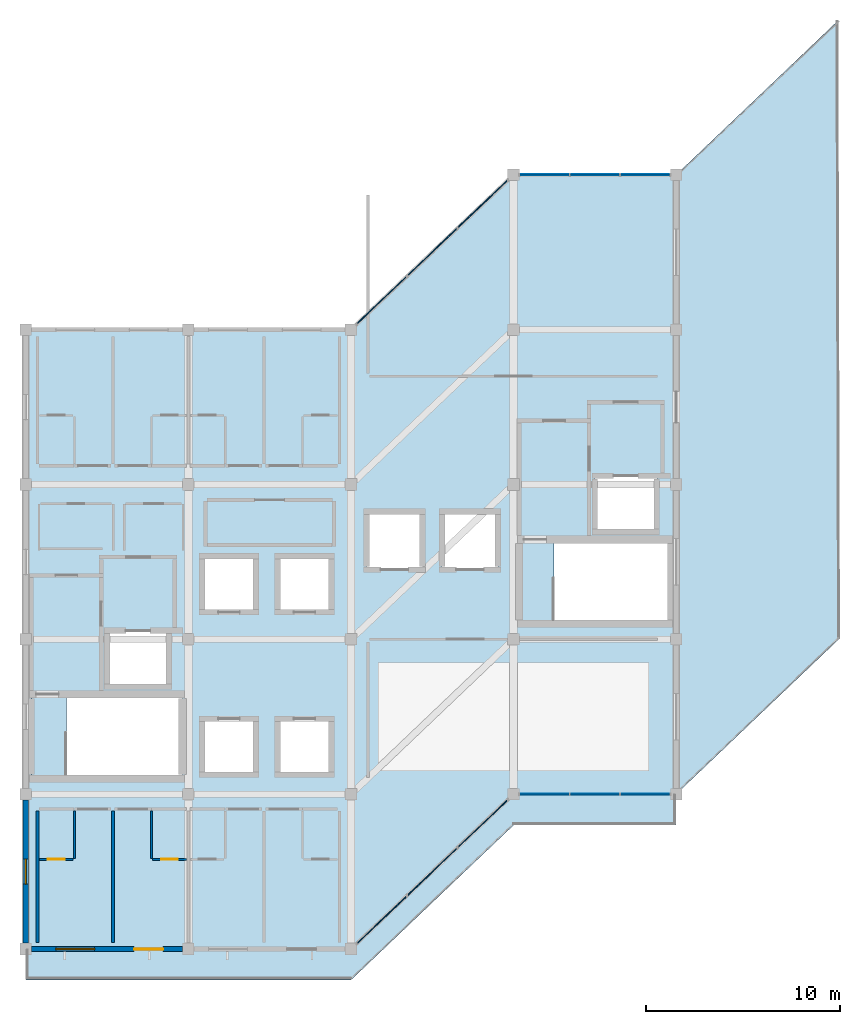
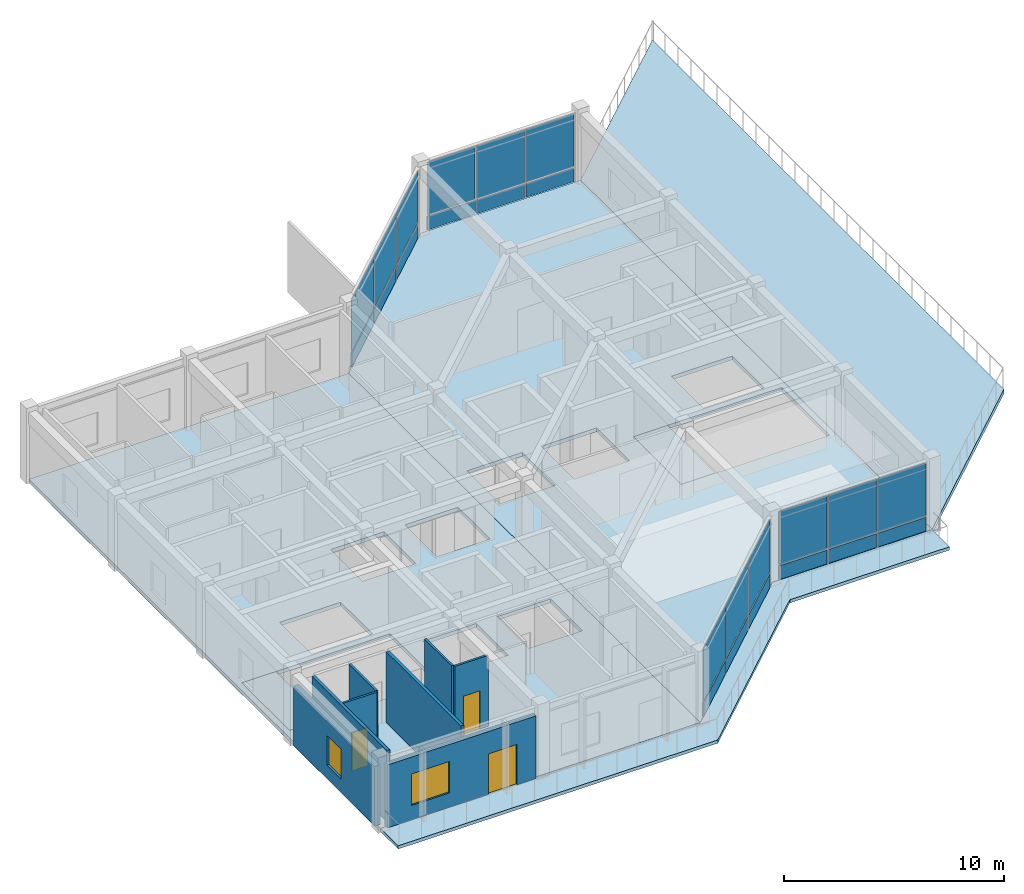
# One storey, part 6 of 11: 24 plates, 8 walls, 6 slabs, 3 doors, 2 windows, 5 openings, 4 elements without a shape of their own.
"""IFC4 building model written with IfcOpenShell, lengths in metres."""

from ifc_helpers import new_model, si_unit, direction, frame, frame_2d, origin, origin_2d, place, context, subcontext, project, spatial, polyline, rectangle, outline, extrude, material, layer, layer_set, type_object, element, fill, aggregate, save


model = new_model("IFC4")

# Units and contexts
model_context = context("Model", 3, precision=1e-05, world=origin(), true_north=direction((0.0, 1.0)))
body_context = subcontext(model_context, "Body", "Model", "MODEL_VIEW")
ifc_project = project(units=[si_unit("LENGTHUNIT", "METRE"), si_unit("AREAUNIT", "SQUARE_METRE"), si_unit("VOLUMEUNIT", "CUBIC_METRE"), si_unit("PLANEANGLEUNIT", "RADIAN"), si_unit("MASSUNIT", "GRAM", prefix="KILO")], contexts=[model_context])

# Site, building, storey
site_placement = place(None, origin())
site = spatial("IfcSite", under=ifc_project, at=site_placement, CompositionType="ELEMENT")
building_placement = place(site_placement, origin())
building = spatial("IfcBuilding", under=site, at=building_placement, Name="Naruveol Harbour Congress Hotel", CompositionType="ELEMENT")
storey_placement = place(building_placement, frame((0.0, 0.0, 47.39990234375)))
storey = spatial("IfcBuildingStorey", under=building, at=storey_placement, Name="L11", CompositionType="ELEMENT", Elevation=47.39990234375)

# Curtain wall, plates
ifc_material_1 = material(Name="Low-E Curtain Wall System", Category="glass")
ifc_layer_1 = layer(ifc_material_1, 0.179931640625)
ifc_layer_set_1 = layer_set([ifc_layer_1], Name="Low-E Curtain Wall System")
curtain_wall_type_1 = type_object("IfcCurtainWallType", Name="UNITISED CURTAIN WALL CW-V5CR-54 10771X3920", PredefinedType="USERDEFINED", material=ifc_layer_set_1)
curtain_wall_1_placement = place(storey_placement, origin())
curtain_wall_1 = element("IfcCurtainWall", 1, at=curtain_wall_1_placement, inside=storey, type_object=curtain_wall_type_1, Name="Unitised curtain wall CW-V5CR-54 L11", ObjectType="UNITISED GLAZING", PredefinedType="USERDEFINED")
ifc_material_2 = material(Name="Anodised Aluminium Spandrel", Category="aluminium")
ifc_layer_2 = layer(ifc_material_2, 0.054931640625)
ifc_layer_set_2 = layer_set([ifc_layer_2], Name="Anodised Aluminium Spandrel")
plate_type_1 = type_object("IfcPlateType", Name="INSULATED CERAMIC SPANDREL PANEL 55", PredefinedType="CURTAIN_PANEL", material=ifc_layer_set_2)
plate_1_placement = place(storey_placement, frame((149.60693359375, 6.46875, 0.0400390625), z_axis=(0.0, 0.0, 1.0), x_axis=(-0.724159825196, -0.689632182814, 0.0)))
plate_1 = element("IfcPlate", 2, at=plate_1_placement, type_object=plate_type_1, Name="Curtain wall spandrel panel CW-L11-0151-PS0", PredefinedType="CURTAIN_PANEL", context=body_context, shape_type="SweptSolid", body=[
    extrude(rectangle(XDim=3.510009765625, YDim=0.054931640625, at=origin_2d()), origin(), (0.0, 0.0, 1.0), 0.77001953125),
])
plate_2_placement = place(storey_placement, frame((147.0068359375, 3.992919921875, 0.0400390625), z_axis=(0.0, 0.0, 1.0), x_axis=(-0.724159825196, -0.689632182814, 0.0)))
plate_2 = element("IfcPlate", 3, at=plate_2_placement, type_object=plate_type_1, Name="Curtain wall spandrel panel CW-L11-0151-PS1", PredefinedType="CURTAIN_PANEL", context=body_context, shape_type="SweptSolid", body=[
    extrude(rectangle(XDim=3.510009765625, YDim=0.054931640625, at=origin_2d()), origin(), (0.0, 0.0, 1.0), 0.77001953125),
])
plate_3_placement = place(storey_placement, frame((144.406982421875, 1.516845703125, 0.0400390625), z_axis=(0.0, 0.0, 1.0), x_axis=(-0.724159825196, -0.689632182814, 0.0)))
plate_3 = element("IfcPlate", 4, at=plate_3_placement, type_object=plate_type_1, Name="Curtain wall spandrel panel CW-L11-0151-PS2", PredefinedType="CURTAIN_PANEL", context=body_context, shape_type="SweptSolid", body=[
    extrude(rectangle(XDim=3.510009765625, YDim=0.054931640625, at=origin_2d()), origin(), (0.0, 0.0, 1.0), 0.77001953125),
])

ifc_material_3 = material(Name="Low-E Curtain Wall System", Category="glass")
ifc_layer_3 = layer(ifc_material_3, 0.179931640625)
ifc_layer_set_3 = layer_set([ifc_layer_3], Name="Low-E Curtain Wall System")
curtain_wall_type_2 = type_object("IfcCurtainWallType", Name="UNITISED CURTAIN WALL CW-V5CN-55 10771X3920", PredefinedType="USERDEFINED", material=ifc_layer_set_3)
curtain_wall_2_placement = place(storey_placement, origin())
curtain_wall_2 = element("IfcCurtainWall", 5, at=curtain_wall_2_placement, inside=storey, type_object=curtain_wall_type_2, Name="Unitised curtain wall CW-V5CN-55 L11", ObjectType="UNITISED GLAZING", PredefinedType="USERDEFINED")
plate_4_placement = place(storey_placement, frame((144.39306640625, 33.53125, 0.0400390625), z_axis=(0.0, 0.0, 1.0), x_axis=(0.724159825196, 0.689632182814, 0.0)))
plate_4 = element("IfcPlate", 6, at=plate_4_placement, type_object=plate_type_1, Name="Curtain wall spandrel panel CW-L11-0152-PS0", PredefinedType="CURTAIN_PANEL", context=body_context, shape_type="SweptSolid", body=[
    extrude(rectangle(XDim=3.510009765625, YDim=0.054931640625, at=origin_2d()), origin(), (0.0, 0.0, 1.0), 0.77001953125),
])
plate_5_placement = place(storey_placement, frame((146.9931640625, 36.007080078125, 0.0400390625), z_axis=(0.0, 0.0, 1.0), x_axis=(0.724159825196, 0.689632182814, 0.0)))
plate_5 = element("IfcPlate", 7, at=plate_5_placement, type_object=plate_type_1, Name="Curtain wall spandrel panel CW-L11-0152-PS1", PredefinedType="CURTAIN_PANEL", context=body_context, shape_type="SweptSolid", body=[
    extrude(rectangle(XDim=3.510009765625, YDim=0.054931640625, at=origin_2d()), origin(), (0.0, 0.0, 1.0), 0.77001953125),
])
plate_6_placement = place(storey_placement, frame((149.593017578125, 38.483154296875, 0.0400390625), z_axis=(0.0, 0.0, 1.0), x_axis=(0.724159825196, 0.689632182814, 0.0)))
plate_6 = element("IfcPlate", 8, at=plate_6_placement, type_object=plate_type_1, Name="Curtain wall spandrel panel CW-L11-0152-PS2", PredefinedType="CURTAIN_PANEL", context=body_context, shape_type="SweptSolid", body=[
    extrude(rectangle(XDim=3.510009765625, YDim=0.054931640625, at=origin_2d()), origin(), (0.0, 0.0, 1.0), 0.77001953125),
])

ifc_material_4 = material(Name="Low-E Curtain Wall System", Category="glass")
ifc_layer_4 = layer(ifc_material_4, 0.179931640625)
ifc_layer_set_4 = layer_set([ifc_layer_4], Name="Low-E Curtain Wall System")
curtain_wall_type_3 = type_object("IfcCurtainWallType", Name="UNITISED CURTAIN WALL CW-V5CR-56 7800X3920", PredefinedType="USERDEFINED", material=ifc_layer_set_4)
curtain_wall_3_placement = place(storey_placement, origin())
curtain_wall_3 = element("IfcCurtainWall", 9, at=curtain_wall_3_placement, inside=storey, type_object=curtain_wall_type_3, Name="Unitised curtain wall CW-V5CR-56 L11", ObjectType="UNITISED GLAZING", PredefinedType="USERDEFINED")
plate_7_placement = place(storey_placement, frame((158.0, 7.989990234375, 0.0400390625), z_axis=(0.0, 0.0, 1.0), x_axis=(-1.0, 0.0, 0.0)))
plate_7 = element("IfcPlate", 10, at=plate_7_placement, type_object=plate_type_1, Name="Curtain wall spandrel panel CW-L11-0153-PS0", PredefinedType="CURTAIN_PANEL", context=body_context, shape_type="SweptSolid", body=[
    extrude(rectangle(XDim=2.52001953125, YDim=0.054931640625, at=origin_2d()), origin(), (0.0, 0.0, 1.0), 0.77001953125),
])
plate_8_placement = place(storey_placement, frame((155.39990234375, 7.989990234375, 0.0400390625), z_axis=(0.0, 0.0, 1.0), x_axis=(-1.0, 0.0, 0.0)))
plate_8 = element("IfcPlate", 11, at=plate_8_placement, type_object=plate_type_1, Name="Curtain wall spandrel panel CW-L11-0153-PS1", PredefinedType="CURTAIN_PANEL", context=body_context, shape_type="SweptSolid", body=[
    extrude(rectangle(XDim=2.52001953125, YDim=0.054931640625, at=origin_2d()), origin(), (0.0, 0.0, 1.0), 0.77001953125),
])
plate_9_placement = place(storey_placement, frame((152.800048828125, 7.989990234375, 0.0400390625), z_axis=(0.0, 0.0, 1.0), x_axis=(-1.0, 0.0, 0.0)))
plate_9 = element("IfcPlate", 12, at=plate_9_placement, type_object=plate_type_1, Name="Curtain wall spandrel panel CW-L11-0153-PS2", PredefinedType="CURTAIN_PANEL", context=body_context, shape_type="SweptSolid", body=[
    extrude(rectangle(XDim=2.52001953125, YDim=0.054931640625, at=origin_2d()), origin(), (0.0, 0.0, 1.0), 0.77001953125),
])

ifc_material_5 = material(Name="Low-E Curtain Wall System", Category="glass")
ifc_layer_5 = layer(ifc_material_5, 0.179931640625)
ifc_layer_set_5 = layer_set([ifc_layer_5], Name="Low-E Curtain Wall System")
curtain_wall_type_4 = type_object("IfcCurtainWallType", Name="UNITISED CURTAIN WALL CW-V5CN-57 7800X3920", PredefinedType="USERDEFINED", material=ifc_layer_set_5)
curtain_wall_4_placement = place(storey_placement, origin())
curtain_wall_4 = element("IfcCurtainWall", 13, at=curtain_wall_4_placement, inside=storey, type_object=curtain_wall_type_4, Name="Unitised curtain wall CW-V5CN-57 L11", ObjectType="UNITISED GLAZING", PredefinedType="USERDEFINED")
plate_10_placement = place(storey_placement, frame((152.800048828125, 40.010009765625, 0.0400390625), z_axis=(0.0, 0.0, 1.0), x_axis=(1.0, 0.0, 0.0)))
plate_10 = element("IfcPlate", 14, at=plate_10_placement, type_object=plate_type_1, Name="Curtain wall spandrel panel CW-L11-0154-PS0", PredefinedType="CURTAIN_PANEL", context=body_context, shape_type="SweptSolid", body=[
    extrude(rectangle(XDim=2.52001953125, YDim=0.054931640625, at=origin_2d()), origin(), (0.0, 0.0, 1.0), 0.77001953125),
])
plate_11_placement = place(storey_placement, frame((155.39990234375, 40.010009765625, 0.0400390625), z_axis=(0.0, 0.0, 1.0), x_axis=(1.0, 0.0, 0.0)))
plate_11 = element("IfcPlate", 15, at=plate_11_placement, type_object=plate_type_1, Name="Curtain wall spandrel panel CW-L11-0154-PS1", PredefinedType="CURTAIN_PANEL", context=body_context, shape_type="SweptSolid", body=[
    extrude(rectangle(XDim=2.52001953125, YDim=0.054931640625, at=origin_2d()), origin(), (0.0, 0.0, 1.0), 0.77001953125),
])
plate_12_placement = place(storey_placement, frame((158.0, 40.010009765625, 0.0400390625), z_axis=(0.0, 0.0, 1.0), x_axis=(1.0, 0.0, 0.0)))
plate_12 = element("IfcPlate", 16, at=plate_12_placement, type_object=plate_type_1, Name="Curtain wall spandrel panel CW-L11-0154-PS2", PredefinedType="CURTAIN_PANEL", context=body_context, shape_type="SweptSolid", body=[
    extrude(rectangle(XDim=2.52001953125, YDim=0.054931640625, at=origin_2d()), origin(), (0.0, 0.0, 1.0), 0.77001953125),
])

# Plate
ifc_material_6 = material(Name="Low-E Insulated Glass", Category="glass")
ifc_layer_6 = layer(ifc_material_6, 0.0419921875)
ifc_layer_set_6 = layer_set([ifc_layer_6], Name="Low-E Insulated Glass")
plate_type_2 = type_object("IfcPlateType", Name="LOW-E TRIPLE GLAZED CURTAIN PANEL 42", PredefinedType="CURTAIN_PANEL", material=ifc_layer_set_6)
plate_13_placement = place(storey_placement, frame((149.60693359375, 6.46875, 0.89013671875), z_axis=(0.0, 0.0, 1.0), x_axis=(-0.724159825196, -0.689632182814, 0.0)))
plate_13 = element("IfcPlate", 17, at=plate_13_placement, type_object=plate_type_2, Name="Curtain wall vision panel CW-L11-0151-PG0", PredefinedType="CURTAIN_PANEL", context=body_context, shape_type="SweptSolid", body=[
    extrude(rectangle(XDim=3.510009765625, YDim=0.0419921875, at=origin_2d()), origin(), (0.0, 0.0, 1.0), 2.909912109375),
])

plate_14_placement = place(storey_placement, frame((147.0068359375, 3.992919921875, 0.89013671875), z_axis=(0.0, 0.0, 1.0), x_axis=(-0.724159825196, -0.689632182814, 0.0)))
plate_14 = element("IfcPlate", 18, at=plate_14_placement, type_object=plate_type_2, Name="Curtain wall vision panel CW-L11-0151-PG1", PredefinedType="CURTAIN_PANEL", context=body_context, shape_type="SweptSolid", body=[
    extrude(rectangle(XDim=3.510009765625, YDim=0.0419921875, at=origin_2d()), origin(), (0.0, 0.0, 1.0), 2.909912109375),
])

plate_15_placement = place(storey_placement, frame((144.406982421875, 1.516845703125, 0.89013671875), z_axis=(0.0, 0.0, 1.0), x_axis=(-0.724159825196, -0.689632182814, 0.0)))
plate_15 = element("IfcPlate", 19, at=plate_15_placement, type_object=plate_type_2, Name="Curtain wall vision panel CW-L11-0151-PG2", PredefinedType="CURTAIN_PANEL", context=body_context, shape_type="SweptSolid", body=[
    extrude(rectangle(XDim=3.510009765625, YDim=0.0419921875, at=origin_2d()), origin(), (0.0, 0.0, 1.0), 2.909912109375),
])

aggregate(curtain_wall_1, [plate_1, plate_13, plate_2, plate_14, plate_3, plate_15])

plate_16_placement = place(storey_placement, frame((144.39306640625, 33.53125, 0.89013671875), z_axis=(0.0, 0.0, 1.0), x_axis=(0.724159825196, 0.689632182814, 0.0)))
plate_16 = element("IfcPlate", 20, at=plate_16_placement, type_object=plate_type_2, Name="Curtain wall vision panel CW-L11-0152-PG0", PredefinedType="CURTAIN_PANEL", context=body_context, shape_type="SweptSolid", body=[
    extrude(rectangle(XDim=3.510009765625, YDim=0.0419921875, at=origin_2d()), origin(), (0.0, 0.0, 1.0), 2.909912109375),
])

plate_17_placement = place(storey_placement, frame((146.9931640625, 36.007080078125, 0.89013671875), z_axis=(0.0, 0.0, 1.0), x_axis=(0.724159825196, 0.689632182814, 0.0)))
plate_17 = element("IfcPlate", 21, at=plate_17_placement, type_object=plate_type_2, Name="Curtain wall vision panel CW-L11-0152-PG1", PredefinedType="CURTAIN_PANEL", context=body_context, shape_type="SweptSolid", body=[
    extrude(rectangle(XDim=3.510009765625, YDim=0.0419921875, at=origin_2d()), origin(), (0.0, 0.0, 1.0), 2.909912109375),
])

plate_18_placement = place(storey_placement, frame((149.593017578125, 38.483154296875, 0.89013671875), z_axis=(0.0, 0.0, 1.0), x_axis=(0.724159825196, 0.689632182814, 0.0)))
plate_18 = element("IfcPlate", 22, at=plate_18_placement, type_object=plate_type_2, Name="Curtain wall vision panel CW-L11-0152-PG2", PredefinedType="CURTAIN_PANEL", context=body_context, shape_type="SweptSolid", body=[
    extrude(rectangle(XDim=3.510009765625, YDim=0.0419921875, at=origin_2d()), origin(), (0.0, 0.0, 1.0), 2.909912109375),
])

aggregate(curtain_wall_2, [plate_4, plate_16, plate_5, plate_17, plate_6, plate_18])

plate_19_placement = place(storey_placement, frame((158.0, 7.989990234375, 0.89013671875), z_axis=(0.0, 0.0, 1.0), x_axis=(-1.0, 0.0, 0.0)))
plate_19 = element("IfcPlate", 23, at=plate_19_placement, type_object=plate_type_2, Name="Curtain wall vision panel CW-L11-0153-PG0", PredefinedType="CURTAIN_PANEL", context=body_context, shape_type="SweptSolid", body=[
    extrude(rectangle(XDim=2.52001953125, YDim=0.0419921875, at=origin_2d()), origin(), (0.0, 0.0, 1.0), 2.909912109375),
])

plate_20_placement = place(storey_placement, frame((155.39990234375, 7.989990234375, 0.89013671875), z_axis=(0.0, 0.0, 1.0), x_axis=(-1.0, 0.0, 0.0)))
plate_20 = element("IfcPlate", 24, at=plate_20_placement, type_object=plate_type_2, Name="Curtain wall vision panel CW-L11-0153-PG1", PredefinedType="CURTAIN_PANEL", context=body_context, shape_type="SweptSolid", body=[
    extrude(rectangle(XDim=2.52001953125, YDim=0.0419921875, at=origin_2d()), origin(), (0.0, 0.0, 1.0), 2.909912109375),
])

plate_21_placement = place(storey_placement, frame((152.800048828125, 7.989990234375, 0.89013671875), z_axis=(0.0, 0.0, 1.0), x_axis=(-1.0, 0.0, 0.0)))
plate_21 = element("IfcPlate", 25, at=plate_21_placement, type_object=plate_type_2, Name="Curtain wall vision panel CW-L11-0153-PG2", PredefinedType="CURTAIN_PANEL", context=body_context, shape_type="SweptSolid", body=[
    extrude(rectangle(XDim=2.52001953125, YDim=0.0419921875, at=origin_2d()), origin(), (0.0, 0.0, 1.0), 2.909912109375),
])

aggregate(curtain_wall_3, [plate_7, plate_19, plate_8, plate_20, plate_9, plate_21])

plate_22_placement = place(storey_placement, frame((152.800048828125, 40.010009765625, 0.89013671875), z_axis=(0.0, 0.0, 1.0), x_axis=(1.0, 0.0, 0.0)))
plate_22 = element("IfcPlate", 26, at=plate_22_placement, type_object=plate_type_2, Name="Curtain wall vision panel CW-L11-0154-PG0", PredefinedType="CURTAIN_PANEL", context=body_context, shape_type="SweptSolid", body=[
    extrude(rectangle(XDim=2.52001953125, YDim=0.0419921875, at=origin_2d()), origin(), (0.0, 0.0, 1.0), 2.909912109375),
])

plate_23_placement = place(storey_placement, frame((155.39990234375, 40.010009765625, 0.89013671875), z_axis=(0.0, 0.0, 1.0), x_axis=(1.0, 0.0, 0.0)))
plate_23 = element("IfcPlate", 27, at=plate_23_placement, type_object=plate_type_2, Name="Curtain wall vision panel CW-L11-0154-PG1", PredefinedType="CURTAIN_PANEL", context=body_context, shape_type="SweptSolid", body=[
    extrude(rectangle(XDim=2.52001953125, YDim=0.0419921875, at=origin_2d()), origin(), (0.0, 0.0, 1.0), 2.909912109375),
])

plate_24_placement = place(storey_placement, frame((158.0, 40.010009765625, 0.89013671875), z_axis=(0.0, 0.0, 1.0), x_axis=(1.0, 0.0, 0.0)))
plate_24 = element("IfcPlate", 28, at=plate_24_placement, type_object=plate_type_2, Name="Curtain wall vision panel CW-L11-0154-PG2", PredefinedType="CURTAIN_PANEL", context=body_context, shape_type="SweptSolid", body=[
    extrude(rectangle(XDim=2.52001953125, YDim=0.0419921875, at=origin_2d()), origin(), (0.0, 0.0, 1.0), 2.909912109375),
])

aggregate(curtain_wall_4, [plate_10, plate_22, plate_11, plate_23, plate_12, plate_24])

# Slabs
ifc_material_7 = material(Name="Concrete C40/50", Category="concrete")
ifc_layer_7 = layer(ifc_material_7, 0.2099609375)
ifc_layer_set_7 = layer_set([ifc_layer_7], Name="Concrete C40/50")
slab_type_1 = type_object("IfcSlabType", Name="RC HOTEL UPPER FLOOR SLAB 210", PredefinedType="FLOOR", material=ifc_layer_set_7)
slab_1_placement = place(storey_placement, frame((0.0, 0.0, -0.2099609375)))
element("IfcSlab", 29, at=slab_1_placement, inside=storey, type_object=slab_type_1, Name="Level L11 Hotel W S-curve floor slab", PredefinedType="FLOOR", context=body_context, shape_type="SweptSolid", body=[
    extrude(outline(polyline([(126.0, 0.0), (134.39990234375, 0.0), (142.800048828125, 0.0), (142.800048828125, 32.0), (134.39990234375, 32.0), (126.0, 32.0), (126.0, 0.0)]), holes=[polyline([(126.300048828125, 8.800048828125), (134.10009765625, 8.800048828125), (134.10009765625, 13.159912109375), (126.300048828125, 13.159912109375), (126.300048828125, 8.800048828125)]), polyline([(135.10009765625, 17.39990234375), (137.89990234375, 17.39990234375), (137.89990234375, 20.300048828125), (135.10009765625, 20.300048828125), (135.10009765625, 17.39990234375)]), polyline([(139.0, 17.39990234375), (141.800048828125, 17.39990234375), (141.800048828125, 20.300048828125), (139.0, 20.300048828125), (139.0, 17.39990234375)]), polyline([(135.10009765625, 9.0), (137.89990234375, 9.0), (137.89990234375, 11.89990234375), (135.10009765625, 11.89990234375), (135.10009765625, 9.0)]), polyline([(139.0, 9.0), (141.800048828125, 9.0), (141.800048828125, 11.89990234375), (139.0, 11.89990234375), (139.0, 9.0)]), polyline([(130.199951171875, 13.550048828125), (133.39990234375, 13.550048828125), (133.39990234375, 16.449951171875), (130.199951171875, 16.449951171875), (130.199951171875, 13.550048828125)])]), origin(), (0.0, 0.0, 1.0), 0.2099609375),
])
slab_2_placement = place(storey_placement, frame((0.0, 0.0, -0.2099609375)))
element("IfcSlab", 30, at=slab_2_placement, inside=storey, type_object=slab_type_1, Name="Level L11 Hotel E S-curve floor slab", PredefinedType="FLOOR", context=body_context, shape_type="SweptSolid", body=[
    extrude(outline(polyline([(142.800048828125, 0.0), (151.199951171875, 8.0), (159.60009765625, 8.0), (159.60009765625, 40.0), (151.199951171875, 40.0), (142.800048828125, 32.0), (142.800048828125, 0.0)]), holes=[polyline([(151.5, 16.800048828125), (159.300048828125, 16.800048828125), (159.300048828125, 21.159912109375), (151.5, 21.159912109375), (151.5, 16.800048828125)]), polyline([(155.39990234375, 21.550048828125), (158.60009765625, 21.550048828125), (158.60009765625, 24.449951171875), (155.39990234375, 24.449951171875), (155.39990234375, 21.550048828125)]), polyline([(143.60009765625, 19.60009765625), (146.5, 19.60009765625), (146.5, 22.60009765625), (143.60009765625, 22.60009765625), (143.60009765625, 19.60009765625)]), polyline([(147.5, 19.60009765625), (150.39990234375, 19.60009765625), (150.39990234375, 22.60009765625), (147.5, 22.60009765625), (147.5, 19.60009765625)])]), origin(), (0.0, 0.0, 1.0), 0.2099609375),
])
ifc_material_8 = material(Name="Concrete C40/50", Category="concrete")
ifc_layer_8 = layer(ifc_material_8, 0.260009765625)
ifc_layer_set_8 = layer_set([ifc_layer_8], Name="Concrete C40/50")
slab_type_2 = type_object("IfcSlabType", Name="RC PLANTED ROOF GARDEN SLAB 260", PredefinedType="ROOF", material=ifc_layer_set_8)
slab_3_placement = place(storey_placement, frame((0.0, 0.0, -0.260009765625)))
element("IfcSlab", 31, at=slab_3_placement, inside=storey, type_object=slab_type_2, Name="Level L11 East Harbour Garden Terrace", PredefinedType="ROOF", context=body_context, shape_type="SweptSolid", body=[
    extrude(outline(polyline([(159.60009765625, 8.0), (168.0, 16.0), (168.0, 48.0), (159.60009765625, 40.0), (159.60009765625, 8.0)])), origin(), (0.0, 0.0, 1.0), 0.260009765625),
])
ifc_material_9 = material(Name="Concrete C40/50", Category="concrete")
ifc_layer_9 = layer(ifc_material_9, 0.179931640625)
ifc_layer_set_9 = layer_set([ifc_layer_9], Name="Concrete C40/50")
slab_type_3 = type_object("IfcSlabType", Name="RC STAIR HALF LANDING SLAB 180", PredefinedType="LANDING", material=ifc_layer_set_9)
slab_4_placement = place(storey_placement, frame((0.0, 0.0, -0.179931640625)))
element("IfcSlab", 32, at=slab_4_placement, inside=storey, type_object=slab_type_3, Name="Stair ST1 L11 floor landing", PredefinedType="LANDING", context=body_context, shape_type="SweptSolid", body=[
    extrude(outline(polyline([(126.300048828125, 8.800048828125), (128.10009765625, 8.800048828125), (128.10009765625, 13.159912109375), (126.300048828125, 13.159912109375), (126.300048828125, 8.800048828125)])), origin(), (0.0, 0.0, 1.0), 0.179931640625),
])
slab_5_placement = place(storey_placement, frame((0.0, 0.0, -0.179931640625)))
element("IfcSlab", 33, at=slab_5_placement, inside=storey, type_object=slab_type_3, Name="Stair ST2 L11 floor landing", PredefinedType="LANDING", context=body_context, shape_type="SweptSolid", body=[
    extrude(outline(polyline([(151.5, 16.800048828125), (153.300048828125, 16.800048828125), (153.300048828125, 21.159912109375), (151.5, 21.159912109375), (151.5, 16.800048828125)])), origin(), (0.0, 0.0, 1.0), 0.179931640625),
])
ifc_material_10 = material(Name="Concrete C40/50", Category="concrete")
ifc_layer_10 = layer(ifc_material_10, 0.179931640625)
ifc_layer_set_10 = layer_set([ifc_layer_10], Name="Concrete C40/50")
slab_type_4 = type_object("IfcSlabType", Name="RC TERRACE AND LANDING SLAB 180", PredefinedType="FLOOR", material=ifc_layer_set_10)
slab_6_placement = place(storey_placement, frame((0.0, 0.0, -0.179931640625)))
element("IfcSlab", 34, at=slab_6_placement, inside=storey, type_object=slab_type_4, Name="Level L11 Harbourfront brise-soleil balcony", PredefinedType="FLOOR", context=body_context, shape_type="SweptSolid", body=[
    extrude(outline(polyline([(126.0, -1.60009765625), (134.39990234375, -1.60009765625), (142.800048828125, -1.60009765625), (151.199951171875, 6.39990234375), (159.60009765625, 6.39990234375), (159.60009765625, 7.9951171875), (151.199951171875, 7.9951171875), (142.800048828125, -0.0048828125), (134.39990234375, -0.0048828125), (126.0, -0.0048828125), (126.0, -1.60009765625)])), origin(), (0.0, 0.0, 1.0), 0.179931640625),
])

# Wall, opening, window
ifc_material_11 = material(Name="Precast concrete C40/50", Category="concrete")
ifc_layer_11 = layer(ifc_material_11, 0.280029296875)
ifc_layer_set_11 = layer_set([ifc_layer_11], Name="Precast concrete C40/50")
wall_type_1 = type_object("IfcWallType", Name="ARCHITECTURAL PRECAST FACADE WALL 280", PredefinedType="SOLIDWALL", material=ifc_layer_set_11)
wall_1_placement = place(storey_placement, frame((126.0, 0.300048828125, 0.0), z_axis=(0.0, 0.0, 1.0), x_axis=(0.0, 1.0, 0.0)))
wall_1 = element("IfcWall", 35, at=wall_1_placement, inside=storey, type_object=wall_type_1, Name="Hotel west gable wall L11 EW-280", PredefinedType="SOLIDWALL", context=body_context, shape_type="SweptSolid", body=[
    extrude(rectangle(XDim=7.39990234375, YDim=0.280029296875, at=frame_2d((3.699951171875, 0.0))), origin(), (0.0, 0.0, 1.0), 3.300048828125),
])
opening_1_placement = place(wall_1_placement, frame((3.050048828125, 0.0, 0.75)))
opening_1 = element("IfcOpeningElement", 36, at=opening_1_placement, cuts=wall_1, Name="Opening W-27", PredefinedType="OPENING", context=body_context, shape_type="SweptSolid", body=[
    extrude(rectangle(XDim=1.300048828125, YDim=1.64990234375, at=frame_2d((0.64990234375, 0.824951171875))), frame((0.0, 0.14990234375, 0.0), z_axis=(0.0, -1.0, 0.0), x_axis=(1.0, 0.0, 0.0)), (0.0, 0.0, 1.0), 0.300048828125),
])
ifc_material_12 = material(Name="Low-E Triple Glazing in Thermal Aluminium", Category="aluminium")
window_type_1 = type_object("IfcWindowType", Name="READING SALON TALL WINDOW 1300X1650", PartitioningType="SINGLE_PANEL", PredefinedType="WINDOW", material=ifc_material_12)
window_1_placement = place(opening_1_placement, origin())
window_1 = element("IfcWindow", 37, at=window_1_placement, inside=storey, type_object=window_type_1, Name="Window W-27 #514", OverallHeight=1.64990234375, OverallWidth=1.300048828125, PartitioningType="SINGLE_PANEL", PredefinedType="WINDOW", context=body_context, shape_type="SweptSolid", body=[
    extrude(rectangle(XDim=1.300048828125, YDim=1.64990234375, at=frame_2d((0.64990234375, 0.824951171875))), frame((0.0, 0.030029296875, 0.0), z_axis=(0.0, -1.0, 0.0), x_axis=(1.0, 0.0, 0.0)), (0.0, 0.0, 1.0), 0.06005859375),
])
fill(opening_1, window_1)

# Wall
ifc_material_13 = material(Name="Moisture-Resistant Gypsum Partition", Category="gypsum")
ifc_layer_12 = layer(ifc_material_13, 0.114990234375)
ifc_layer_set_12 = layer_set([ifc_layer_12], Name="Moisture-Resistant Gypsum Partition")
wall_type_2 = type_object("IfcWallType", Name="BATHROOM MOISTURE PARTITION WALL 115", PredefinedType="PARTITIONING", material=ifc_layer_set_12)
wall_2_placement = place(storey_placement, frame((128.510009765625, 4.68994140625, 0.0), z_axis=(0.0, 0.0, 1.0), x_axis=(0.0, 1.0, 0.0)))
element("IfcWall", 38, at=wall_2_placement, inside=storey, type_object=wall_type_2, Name="Bathroom east wall 1205 PW-115", PredefinedType="PARTITIONING", context=body_context, shape_type="SweptSolid", body=[
    extrude(rectangle(XDim=2.449951171875, YDim=0.114990234375, at=frame_2d((1.22509765625, 0.0))), origin(), (0.0, 0.0, 1.0), 3.93505859375),
])

# Wall, opening, door
wall_3_placement = place(storey_placement, frame((126.699951171875, 4.6298828125, 0.0), z_axis=(0.0, 0.0, 1.0), x_axis=(1.0, 0.0, 0.0)))
wall_3 = element("IfcWall", 39, at=wall_3_placement, inside=storey, type_object=wall_type_2, Name="Bathroom south wall 1205 PW-115", PredefinedType="PARTITIONING", context=body_context, shape_type="SweptSolid", body=[
    extrude(rectangle(XDim=1.75, YDim=0.114990234375, at=frame_2d((0.875, 0.0))), origin(), (0.0, 0.0, 1.0), 3.93505859375),
])
opening_2_placement = place(wall_3_placement, frame((0.445068359375, 0.0, 0.0)))
opening_2 = element("IfcOpeningElement", 40, at=opening_2_placement, cuts=wall_3, Name="Opening BD-RM1205", PredefinedType="OPENING", context=body_context, shape_type="SweptSolid", body=[
    extrude(rectangle(XDim=0.860107421875, YDim=2.1201171875, at=frame_2d((0.43017578125, 1.06005859375))), frame((0.0, 0.0673828125, 0.0), z_axis=(0.0, -1.0, 0.0), x_axis=(1.0, 0.0, 0.0)), (0.0, 0.0, 1.0), 0.135009765625),
])
ifc_material_14 = material(Name="Timber & Steel Acoustic Leaf", Category="steel")
door_type_1 = type_object("IfcDoorType", Name="GUEST BATHROOM DOOR 860X2120", OperationType="NOTDEFINED", PredefinedType="DOOR", material=ifc_material_14)
door_1_placement = place(opening_2_placement, origin())
door_1 = element("IfcDoor", 41, at=door_1_placement, inside=storey, type_object=door_type_1, Name="Bathroom Door 1205", OperationType="SINGLE_SWING_LEFT", OverallHeight=2.1201171875, OverallWidth=0.860107421875, PredefinedType="DOOR", context=body_context, shape_type="SweptSolid", body=[
    extrude(rectangle(XDim=0.860107421875, YDim=2.1201171875, at=frame_2d((0.43017578125, 1.06005859375))), frame((0.0, 0.02490234375, 0.0), z_axis=(0.0, -1.0, 0.0), x_axis=(1.0, 0.0, 0.0)), (0.0, 0.0, 1.0), 0.050048828125),
])
fill(opening_2, door_1)

# Wall
wall_4_placement = place(storey_placement, frame((132.489990234375, 4.68994140625, 0.0), z_axis=(0.0, 0.0, 1.0), x_axis=(0.0, 1.0, 0.0)))
element("IfcWall", 42, at=wall_4_placement, inside=storey, type_object=wall_type_2, Name="Bathroom west wall 1206 PW-115", PredefinedType="PARTITIONING", context=body_context, shape_type="SweptSolid", body=[
    extrude(rectangle(XDim=2.449951171875, YDim=0.114990234375, at=frame_2d((1.22509765625, 0.0))), origin(), (0.0, 0.0, 1.0), 3.93505859375),
])

# Wall, opening, door
wall_5_placement = place(storey_placement, frame((132.550048828125, 4.6298828125, 0.0), z_axis=(0.0, 0.0, 1.0), x_axis=(1.0, 0.0, 0.0)))
wall_5 = element("IfcWall", 43, at=wall_5_placement, inside=storey, type_object=wall_type_2, Name="Bathroom south wall 1206 PW-115", PredefinedType="PARTITIONING", context=body_context, shape_type="SweptSolid", body=[
    extrude(rectangle(XDim=1.75, YDim=0.114990234375, at=frame_2d((0.875, 0.0))), origin(), (0.0, 0.0, 1.0), 3.93505859375),
])
opening_3_placement = place(wall_5_placement, frame((0.445068359375, 0.0, 0.0)))
opening_3 = element("IfcOpeningElement", 44, at=opening_3_placement, cuts=wall_5, Name="Opening BD-RM1206", PredefinedType="OPENING", context=body_context, shape_type="SweptSolid", body=[
    extrude(rectangle(XDim=0.860107421875, YDim=2.1201171875, at=frame_2d((0.43017578125, 1.06005859375))), frame((0.0, 0.0673828125, 0.0), z_axis=(0.0, -1.0, 0.0), x_axis=(1.0, 0.0, 0.0)), (0.0, 0.0, 1.0), 0.135009765625),
])
door_2_placement = place(opening_3_placement, origin())
door_2 = element("IfcDoor", 45, at=door_2_placement, inside=storey, type_object=door_type_1, Name="Bathroom Door 1206", OperationType="SINGLE_SWING_RIGHT", OverallHeight=2.1201171875, OverallWidth=0.860107421875, PredefinedType="DOOR", context=body_context, shape_type="SweptSolid", body=[
    extrude(rectangle(XDim=0.860107421875, YDim=2.1201171875, at=frame_2d((0.43017578125, 1.06005859375))), frame((0.0, 0.02490234375, 0.0), z_axis=(0.0, -1.0, 0.0), x_axis=(1.0, 0.0, 0.0)), (0.0, 0.0, 1.0), 0.050048828125),
])
fill(opening_3, door_2)

# Walls
ifc_material_15 = material(Name="Autoclaved Aerated Concrete Block", Category="concrete")
ifc_layer_13 = layer(ifc_material_15, 0.159912109375)
ifc_layer_set_13 = layer_set([ifc_layer_13], Name="Autoclaved Aerated Concrete Block")
wall_type_3 = type_object("IfcWallType", Name="HOTEL PARTY AND CORRIDOR WALL 160 EI60", PredefinedType="PARTITIONING", material=ifc_layer_set_13)
for number, where, z_axis, x_axis, name in (
    (46, (126.60009765625, 0.340087890625, 0.0), (0.0, 0.0, 1.0), (0.0, 1.0, 0.0), "Hotel party wall 1205 PW-160"),
    (47, (130.5, 0.340087890625, 0.0), (0.0, 0.0, 1.0), (0.0, 1.0, 0.0), "Hotel party wall 1206 PW-160"),
):
    element("IfcWall", number, at=place(storey_placement, frame(where, z_axis=z_axis, x_axis=x_axis)), inside=storey, type_object=wall_type_3, Name=name, PredefinedType="PARTITIONING", context=body_context, shape_type="SweptSolid", body=[
        extrude(rectangle(XDim=6.7998046875, YDim=0.159912109375, at=frame_2d((3.39990234375, 0.0))), origin(), (0.0, 0.0, 1.0), 3.93505859375),
    ])

# Wall, openings, window, door
ifc_material_16 = material(Name="Concrete C40/50", Category="concrete")
ifc_layer_14 = layer(ifc_material_16, 0.239990234375)
ifc_layer_set_14 = layer_set([ifc_layer_14], Name="Concrete C40/50")
wall_type_4 = type_object("IfcWallType", Name="INSULATED HOTEL SPANDREL WALL 240", PredefinedType="SOLIDWALL", material=ifc_layer_set_14)
wall_6_placement = place(storey_placement, frame((134.10009765625, 0.0, 0.0), z_axis=(0.0, 0.0, 1.0), x_axis=(-1.0, 0.0, 0.0)))
wall_6 = element("IfcWall", 48, at=wall_6_placement, inside=storey, type_object=wall_type_4, Name="Hotel south waterfront wall L11 EW-240", PredefinedType="SOLIDWALL", context=body_context, shape_type="SweptSolid", body=[
    extrude(rectangle(XDim=7.800048828125, YDim=0.239990234375, at=frame_2d((3.89990234375, 0.0))), origin(), (0.0, 0.0, 1.0), 3.489990234375),
])
opening_4_placement = place(wall_6_placement, frame((1.0, 0.0, 0.0)))
opening_4 = element("IfcOpeningElement", 49, at=opening_4_placement, cuts=wall_6, Name="Opening BD-150-079", PredefinedType="OPENING", context=body_context, shape_type="SweptSolid", body=[
    extrude(rectangle(XDim=1.5, YDim=2.25, at=frame_2d((0.75, 1.125))), frame((0.0, 0.1298828125, 0.0), z_axis=(0.0, -1.0, 0.0), x_axis=(1.0, 0.0, 0.0)), (0.0, 0.0, 1.0), 0.260009765625),
])
opening_5_placement = place(wall_6_placement, frame((4.550048828125, 0.0, 0.800048828125)))
opening_5 = element("IfcOpeningElement", 50, at=opening_5_placement, cuts=wall_6, Name="Opening W-05", PredefinedType="OPENING", context=body_context, shape_type="SweptSolid", body=[
    extrude(rectangle(XDim=2.0, YDim=1.75, at=frame_2d((1.0, 0.875))), frame((0.0, 0.1298828125, 0.0), z_axis=(0.0, -1.0, 0.0), x_axis=(1.0, 0.0, 0.0)), (0.0, 0.0, 1.0), 0.260009765625),
])
ifc_material_17 = material(Name="Low-E Triple Glazing in Thermal Aluminium", Category="aluminium")
window_type_2 = type_object("IfcWindowType", Name="GARDEN SUITE WINDOW 2000X1750", PartitioningType="DOUBLE_PANEL_VERTICAL", PredefinedType="WINDOW", material=ifc_material_17)
window_2_placement = place(opening_5_placement, origin())
window_2 = element("IfcWindow", 51, at=window_2_placement, inside=storey, type_object=window_type_2, Name="Window W-05 #505", OverallHeight=1.75, OverallWidth=2.0, PartitioningType="DOUBLE_PANEL_VERTICAL", PredefinedType="WINDOW", context=body_context, shape_type="SweptSolid", body=[
    extrude(rectangle(XDim=2.0, YDim=1.75, at=frame_2d((1.0, 0.875))), frame((0.0, 0.030029296875, 0.0), z_axis=(0.0, -1.0, 0.0), x_axis=(1.0, 0.0, 0.0)), (0.0, 0.0, 1.0), 0.06005859375),
])
fill(opening_5, window_2)
ifc_material_18 = material(Name="Powder-Coated Steel & Insulated Glazing", Category="steel")
door_type_2 = type_object("IfcDoorType", Name="SUITE BALCONY SLIDING DOOR 1500X2250", OperationType="SLIDING_TO_LEFT", PredefinedType="DOOR", material=ifc_material_18)
door_3_placement = place(opening_4_placement, origin())
door_3 = element("IfcDoor", 52, at=door_3_placement, inside=storey, type_object=door_type_2, Name="Exterior door BD-150-079", OperationType="SLIDING_TO_LEFT", OverallHeight=2.25, OverallWidth=1.5, PredefinedType="DOOR", context=body_context, shape_type="SweptSolid", body=[
    extrude(rectangle(XDim=1.5, YDim=2.25, at=frame_2d((0.75, 1.125))), frame((0.0, 0.02490234375, 0.0), z_axis=(0.0, -1.0, 0.0), x_axis=(1.0, 0.0, 0.0)), (0.0, 0.0, 1.0), 0.050048828125),
])
fill(opening_4, door_3)

save(model, "model.ifc")
